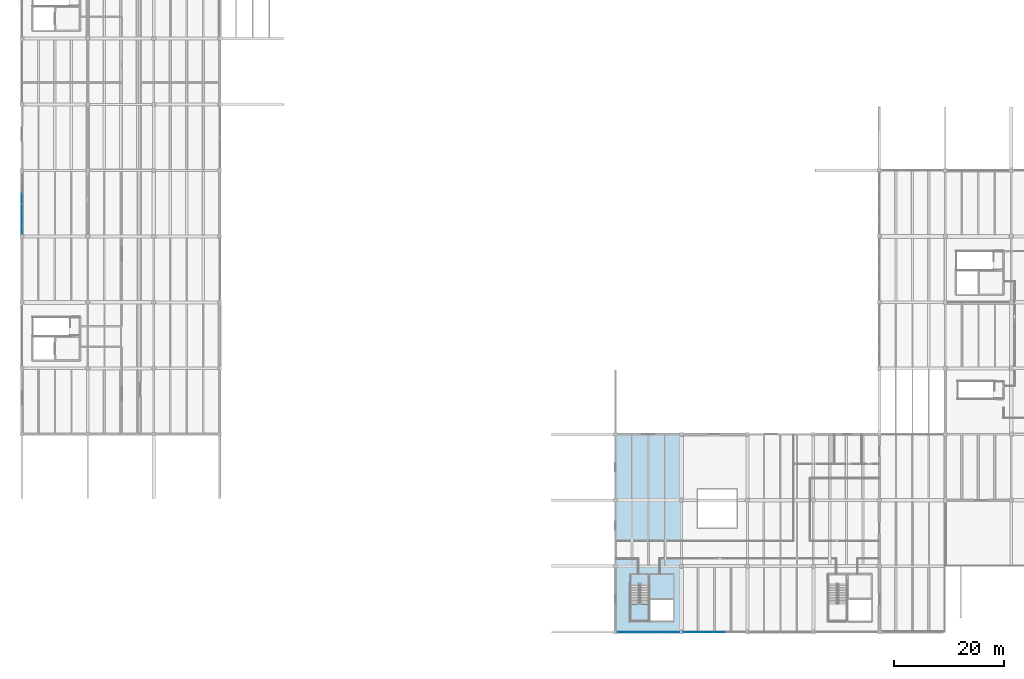
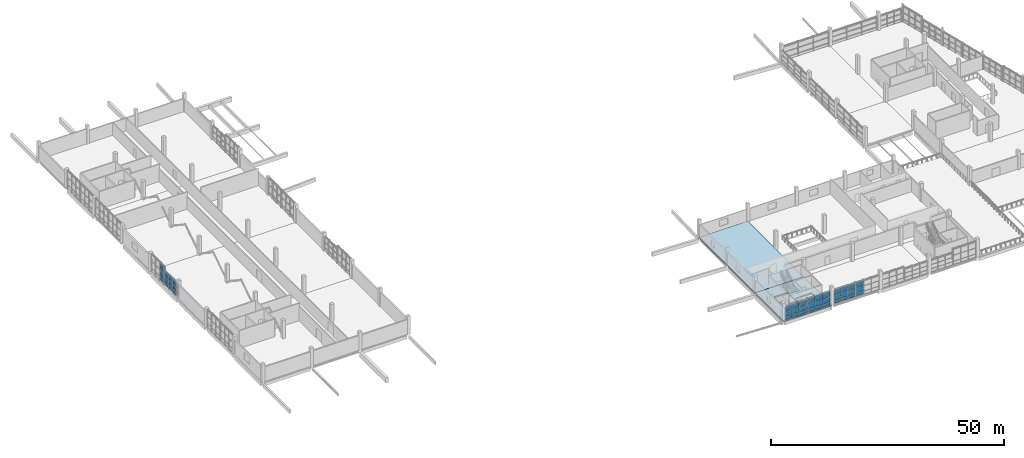
# One storey, part 27 of 49: 42 plates, 3 slabs, 7 elements without a shape of their own.
"""IFC4 building model written with IfcOpenShell, lengths in metres."""

import ifcopenshell
import ifcopenshell.guid

model = None  # the IFC model being written
_history = None  # IfcOwnerHistory: only IFC2X3 demands one
_inside = {}  # id of a spatial element -> (the spatial element, [elements in it])
_under = {}  # id of a project, library or spatial element -> (it, [spatial elements below it])
_declared = {}  # id of a project -> (the project, [libraries it declares])
_typed = {}  # id of a type object -> (the type object, [elements of that type])
_made_of = {}  # id of a material, layer set ... -> (it, [elements and type objects made of it])


def new_model(schema):
    """Start an empty IFC model of exactly this schema.

    Asked for "IFC4X3", IfcOpenShell would pick the latest addendum, in which some entities
    have other attributes; the version numbers below select the first issue.
    IFC2X3 requires an IfcOwnerHistory on every rooted entity: one is made here for all.
    """
    global model, _history
    if schema == "IFC4X3":
        model = ifcopenshell.file(schema_version=(4, 3, 0, 0))
    else:
        model = ifcopenshell.file(schema=schema)
    _inside.clear()
    _under.clear()
    _declared.clear()
    _typed.clear()
    _made_of.clear()
    _history = None
    if model.schema == "IFC2X3":
        org = make("IfcOrganization", Name="unknown")
        user = make(
            "IfcPersonAndOrganization",
            ThePerson=make("IfcPerson", FamilyName="unknown"),
            TheOrganization=org,
        )
        app = make(
            "IfcApplication",
            ApplicationDeveloper=org,
            Version="unknown",
            ApplicationFullName="unknown",
            ApplicationIdentifier="unknown",
        )
        _history = make(
            "IfcOwnerHistory",
            OwningUser=user,
            OwningApplication=app,
            ChangeAction="ADDED",
            CreationDate=0,
        )
    return model


def make(cls, **values):
    """One entity of the class cls with the attributes given. An attribute that is None is left unset."""
    return model.create_entity(
        cls, **{name: value for name, value in values.items() if value is not None}
    )


def rooted(cls, **values):
    """An entity with a GlobalId (a new one), such as an element, a storey or a relation."""
    return make(cls, GlobalId=ifcopenshell.guid.new(), OwnerHistory=_history, **values)


def si_unit(unit_type, name, prefix=None):
    """IfcSIUnit, for example si_unit("LENGTHUNIT", "METRE", prefix="MILLI")."""
    return make("IfcSIUnit", UnitType=unit_type, Prefix=prefix, Name=name)


def assignment(units):
    """IfcUnitAssignment: the units of a project."""
    return None if units is None else make("IfcUnitAssignment", Units=units)


def point(xyz):
    """IfcCartesianPoint."""
    return None if xyz is None else make("IfcCartesianPoint", Coordinates=xyz)


def direction(xyz):
    """IfcDirection."""
    return None if xyz is None else make("IfcDirection", DirectionRatios=xyz)


def frame(location, z_axis=None, x_axis=None):
    """IfcAxis2Placement3D, a coordinate frame: its origin and axes. An axis left out is left unset."""
    return make(
        "IfcAxis2Placement3D",
        Location=point(location),
        Axis=direction(z_axis),
        RefDirection=direction(x_axis),
    )


def frame_2d(location, x_axis=None):
    """IfcAxis2Placement2D, a coordinate frame in the plane: its origin and x axis."""
    return make(
        "IfcAxis2Placement2D", Location=point(location), RefDirection=direction(x_axis)
    )


def origin():
    """The frame at (0, 0, 0) with its axes left unset."""
    return frame((0.0, 0.0, 0.0))


def origin_2d():
    """The frame at (0, 0) in the plane with its x axis left unset."""
    return frame_2d((0.0, 0.0))


def place(relative_to, where):
    """IfcLocalPlacement: puts the frame where relative to a parent placement (None: the world)."""
    return make(
        "IfcLocalPlacement", PlacementRelTo=relative_to, RelativePlacement=where
    )


def context(
    kind, dimensions, precision=None, world=None, true_north=None, identifier=None
):
    """IfcGeometricRepresentationContext, for example the 3D "Model" context."""
    return make(
        "IfcGeometricRepresentationContext",
        ContextIdentifier=identifier,
        ContextType=kind,
        CoordinateSpaceDimension=dimensions,
        Precision=precision,
        WorldCoordinateSystem=world,
        TrueNorth=true_north,
    )


def subcontext(parent, identifier, kind, view, scale=None):
    """IfcGeometricRepresentationSubContext, for example "Body" below "Model"."""
    return make(
        "IfcGeometricRepresentationSubContext",
        ContextIdentifier=identifier,
        ContextType=kind,
        ParentContext=parent,
        TargetScale=scale,
        TargetView=view,
    )


def project(units=None, contexts=None):
    """IfcProject with its units and contexts."""
    return rooted(
        "IfcProject",
        Name="project",
        RepresentationContexts=contexts,
        UnitsInContext=assignment(units),
    )


def spatial(cls, under=None, at=None, **own):
    """A site, building, storey or space (cls), placed at a placement, below another one or the project."""
    s = rooted(cls, ObjectPlacement=at, **own)
    if under is not None:
        _under.setdefault(under.id(), (under, []))[1].append(s)
    return s


def polyline(points):
    """IfcPolyline through the points."""
    return make("IfcPolyline", Points=[point(p) for p in points])


def profile(cls, at=None, kind="AREA", **sizes):
    """A parametric profile (cls). Its sizes go by their IFC names, for example OverallWidth=200.0."""
    return make(cls, ProfileType=kind, Position=at, **sizes)


def rectangle(**sizes):
    """IfcRectangleProfileDef."""
    return profile("IfcRectangleProfileDef", **sizes)


def outline(outer, holes=None, kind="AREA"):
    """IfcArbitraryClosedProfileDef: a profile drawn as a closed curve; with holes, ...WithVoids."""
    if holes is None:
        return make("IfcArbitraryClosedProfileDef", ProfileType=kind, OuterCurve=outer)
    return make(
        "IfcArbitraryProfileDefWithVoids",
        ProfileType=kind,
        OuterCurve=outer,
        InnerCurves=holes,
    )


def extrude(swept, where, along, depth):
    """IfcExtrudedAreaSolid: the profile swept, set in the frame where, extruded along a direction by depth."""
    return make(
        "IfcExtrudedAreaSolid",
        SweptArea=swept,
        Position=where,
        ExtrudedDirection=direction(along),
        Depth=depth,
    )


def shape(context_of_items, identifier, shape_type, items):
    """IfcShapeRepresentation: the items that make up one representation, for example the "Body"."""
    return make(
        "IfcShapeRepresentation",
        ContextOfItems=context_of_items,
        RepresentationIdentifier=identifier,
        RepresentationType=shape_type,
        Items=items,
    )


def material(Name=None, Category=None):
    """IfcMaterial."""
    return make("IfcMaterial", Name=Name, Category=Category)


def layer(
    of_material, thickness, ventilated=None, Name=None, Category=None, Priority=None
):
    """IfcMaterialLayer: one layer of a wall or slab, of a material (None: an air gap)."""
    return make(
        "IfcMaterialLayer",
        Material=of_material,
        LayerThickness=thickness,
        IsVentilated=ventilated,
        Name=Name,
        Category=Category,
        Priority=Priority,
    )


def layer_set(layers, Name=None):
    """IfcMaterialLayerSet."""
    return make("IfcMaterialLayerSet", MaterialLayers=layers, LayerSetName=Name)


def made_of(thing, what):
    """Note that an element or type object is made of a material, layer set ...; save() writes the relation."""
    if what is not None:
        _made_of.setdefault(what.id(), (what, []))[1].append(thing)
    return thing


def type_object(cls, material=None, **own):
    """A type object (cls), such as IfcWallType, which elements share."""
    return made_of(rooted(cls, **own), material)


def element(
    cls,
    number,
    at=None,
    inside=None,
    cuts=None,
    type_object=None,
    material=None,
    context=None,
    identifier="Body",
    shape_type=None,
    held_by="IfcProductDefinitionShape",
    body=None,
    shapes=None,
    **own,
):
    """One element of the class cls, such as IfcWall. Its Tag is "e" and its number.

    at: its placement. inside: the storey or other place that contains it. cuts: it is an
    opening in that element (IfcRelVoidsElement). A single representation is given by context,
    identifier, shape_type and body (its items); several are given by shapes. held_by: the class
    of the entity that holds the representations. save() writes the other relations.
    """
    e = rooted(cls, Tag="e%d" % number, ObjectPlacement=at, **own)
    if body is not None:
        shapes = [shape(context, identifier, shape_type, body)]
    if shapes is not None:
        e.Representation = make(held_by, Representations=shapes)
    if inside is not None:
        _inside.setdefault(inside.id(), (inside, []))[1].append(e)
    if cuts is not None:
        rooted(
            "IfcRelVoidsElement", RelatingBuildingElement=cuts, RelatedOpeningElement=e
        )
    if type_object is not None:
        _typed.setdefault(type_object.id(), (type_object, []))[1].append(e)
    return made_of(e, material)


def aggregate(whole, parts):
    """IfcRelAggregates: a whole, such as a stair, and the parts it consists of."""
    return rooted("IfcRelAggregates", RelatingObject=whole, RelatedObjects=parts)


def save(model, path):
    """Write the relations noted so far, then the file.

    IfcRelAggregates (storeys below a building ...), IfcRelContainedInSpatialStructure (elements
    in a storey), IfcRelDefinesByType, IfcRelAssociatesMaterial and IfcRelDeclares: one each for
    every whole, place, type object, material and project.
    """
    for whole, parts in _under.values():
        aggregate(whole, parts)
    for where, things in _inside.values():
        rooted(
            "IfcRelContainedInSpatialStructure",
            RelatedElements=things,
            RelatingStructure=where,
        )
    for kind, things in _typed.values():
        rooted("IfcRelDefinesByType", RelatedObjects=things, RelatingType=kind)
    for what, things in _made_of.values():
        rooted("IfcRelAssociatesMaterial", RelatedObjects=things, RelatingMaterial=what)
    for by, libraries in _declared.values():
        rooted("IfcRelDeclares", RelatingContext=by, RelatedDefinitions=libraries)
    model.write(path)


model = new_model("IFC4")

# Units and contexts
model_context = context("Model", 3, precision=1e-05, world=origin(), true_north=direction((0.0, 1.0)))
body_context = subcontext(model_context, "Body", "Model", "MODEL_VIEW")
ifc_project = project(units=[si_unit("LENGTHUNIT", "METRE"), si_unit("AREAUNIT", "SQUARE_METRE"), si_unit("VOLUMEUNIT", "CUBIC_METRE"), si_unit("PLANEANGLEUNIT", "RADIAN"), si_unit("MASSUNIT", "GRAM", prefix="KILO")], contexts=[model_context])

# Site, building, storey
site_placement = place(None, origin())
site = spatial("IfcSite", under=ifc_project, at=site_placement, CompositionType="ELEMENT")
building_placement = place(site_placement, origin())
building = spatial("IfcBuilding", under=site, at=building_placement, Name="Kamomehara Wholesale Market", CompositionType="ELEMENT")
storey_placement = place(building_placement, frame((0.0, 0.0, 11.39990234375)))
storey = spatial("IfcBuildingStorey", under=building, at=storey_placement, Name="L02", CompositionType="ELEMENT", Elevation=11.39990234375)

# Curtain wall, plates
ifc_material_1 = material(Name="Anodised aluminium 6063-T5", Category="aluminium")
curtain_wall_type_1 = type_object("IfcCurtainWallType", Name="CW-UN-10", PredefinedType="NOTDEFINED", material=ifc_material_1)
curtain_wall_1_placement = place(storey_placement, origin())
curtain_wall_1 = element("IfcCurtainWall", 1, at=curtain_wall_1_placement, inside=storey, type_object=curtain_wall_type_1, Name="Unitised curtain wall CW-003", PredefinedType="NOTDEFINED")
ifc_material_2 = material(Name="Solar-control Low-E double glazing", Category="glass")
ifc_layer_1 = layer(ifc_material_2, 0.028076171875)
ifc_layer_set_1 = layer_set([ifc_layer_1], Name="Solar-control Low-E double glazing")
plate_type_1 = type_object("IfcPlateType", Name="CW-PNL-GLZ", PredefinedType="CURTAIN_PANEL", material=ifc_layer_set_1)
plate_1_placement = place(storey_placement, frame((-0.02001953125, 85.300048828125, 0.97998046875), z_axis=(0.0, 0.0, 1.0), x_axis=(0.0, 1.0, 0.0)))
plate_1 = element("IfcPlate", 2, at=plate_1_placement, type_object=plate_type_1, Name="Curtain panel CW-003.0.1", PredefinedType="CURTAIN_PANEL", context=body_context, shape_type="SweptSolid", body=[
    extrude(rectangle(XDim=1.719970703125, YDim=0.028076171875, at=origin_2d()), origin(), (0.0, 0.0, 1.0), 1.280029296875),
])
plate_2_placement = place(storey_placement, frame((-0.02001953125, 85.300048828125, 2.3203125), z_axis=(0.0, 0.0, 1.0), x_axis=(0.0, 1.0, 0.0)))
plate_2 = element("IfcPlate", 3, at=plate_2_placement, type_object=plate_type_1, Name="Curtain panel CW-003.0.2", PredefinedType="CURTAIN_PANEL", context=body_context, shape_type="SweptSolid", body=[
    extrude(rectangle(XDim=1.719970703125, YDim=0.028076171875, at=origin_2d()), origin(), (0.0, 0.0, 1.0), 1.239990234375),
])
plate_3_placement = place(storey_placement, frame((-0.02001953125, 87.10009765625, 0.97998046875), z_axis=(0.0, 0.0, 1.0), x_axis=(0.0, 1.0, 0.0)))
plate_3 = element("IfcPlate", 4, at=plate_3_placement, type_object=plate_type_1, Name="Curtain panel CW-003.1.1", PredefinedType="CURTAIN_PANEL", context=body_context, shape_type="SweptSolid", body=[
    extrude(rectangle(XDim=1.719970703125, YDim=0.028076171875, at=origin_2d()), origin(), (0.0, 0.0, 1.0), 1.280029296875),
])
plate_4_placement = place(storey_placement, frame((-0.02001953125, 87.10009765625, 2.3203125), z_axis=(0.0, 0.0, 1.0), x_axis=(0.0, 1.0, 0.0)))
plate_4 = element("IfcPlate", 5, at=plate_4_placement, type_object=plate_type_1, Name="Curtain panel CW-003.1.2", PredefinedType="CURTAIN_PANEL", context=body_context, shape_type="SweptSolid", body=[
    extrude(rectangle(XDim=1.719970703125, YDim=0.028076171875, at=origin_2d()), origin(), (0.0, 0.0, 1.0), 1.239990234375),
])
plate_5_placement = place(storey_placement, frame((-0.02001953125, 88.89990234375, 0.97998046875), z_axis=(0.0, 0.0, 1.0), x_axis=(0.0, 1.0, 0.0)))
plate_5 = element("IfcPlate", 6, at=plate_5_placement, type_object=plate_type_1, Name="Curtain panel CW-003.2.1", PredefinedType="CURTAIN_PANEL", context=body_context, shape_type="SweptSolid", body=[
    extrude(rectangle(XDim=1.719970703125, YDim=0.028076171875, at=origin_2d()), origin(), (0.0, 0.0, 1.0), 1.280029296875),
])
plate_6_placement = place(storey_placement, frame((-0.02001953125, 88.89990234375, 2.3203125), z_axis=(0.0, 0.0, 1.0), x_axis=(0.0, 1.0, 0.0)))
plate_6 = element("IfcPlate", 7, at=plate_6_placement, type_object=plate_type_1, Name="Curtain panel CW-003.2.2", PredefinedType="CURTAIN_PANEL", context=body_context, shape_type="SweptSolid", body=[
    extrude(rectangle(XDim=1.719970703125, YDim=0.028076171875, at=origin_2d()), origin(), (0.0, 0.0, 1.0), 1.239990234375),
])

curtain_wall_2_placement = place(storey_placement, origin())
curtain_wall_2 = element("IfcCurtainWall", 8, at=curtain_wall_2_placement, inside=storey, type_object=curtain_wall_type_1, Name="Unitised curtain wall CW-004", PredefinedType="NOTDEFINED")
plate_7_placement = place(storey_placement, frame((-0.02001953125, 90.89990234375, 0.9794921875), z_axis=(0.0, 0.0, 1.0), x_axis=(0.0, 1.0, 0.0)))
plate_7 = element("IfcPlate", 9, at=plate_7_placement, type_object=plate_type_1, Name="Curtain panel CW-004.0.1", PredefinedType="CURTAIN_PANEL", context=body_context, shape_type="SweptSolid", body=[
    extrude(rectangle(XDim=1.719970703125, YDim=0.028076171875, at=origin_2d()), origin(), (0.0, 0.0, 1.0), 1.764892578125),
])
plate_8_placement = place(storey_placement, frame((-0.02001953125, 90.89990234375, 2.8056640625), z_axis=(0.0, 0.0, 1.0), x_axis=(0.0, 1.0, 0.0)))
plate_8 = element("IfcPlate", 10, at=plate_8_placement, type_object=plate_type_1, Name="Curtain panel CW-004.0.2", PredefinedType="CURTAIN_PANEL", context=body_context, shape_type="SweptSolid", body=[
    extrude(rectangle(XDim=1.719970703125, YDim=0.028076171875, at=origin_2d()), origin(), (0.0, 0.0, 1.0), 1.72509765625),
])

ifc_material_3 = material(Name="Anodised aluminium 6063-T5", Category="aluminium")
curtain_wall_type_2 = type_object("IfcCurtainWallType", Name="CW-UN-01", PredefinedType="NOTDEFINED", material=ifc_material_3)
curtain_wall_3_placement = place(storey_placement, origin())
curtain_wall_3 = element("IfcCurtainWall", 11, at=curtain_wall_3_placement, inside=storey, type_object=curtain_wall_type_2, Name="Unitised curtain wall CW-143", PredefinedType="NOTDEFINED")
plate_9_placement = place(storey_placement, frame((118.6669921875, 11.97998046875, 0.87939453125), z_axis=(0.0, 0.0, 1.0), x_axis=(-1.0, 0.0, 0.0)))
plate_9 = element("IfcPlate", 12, at=plate_9_placement, type_object=plate_type_1, Name="Curtain panel CW-143.0.1", PredefinedType="CURTAIN_PANEL", context=body_context, shape_type="SweptSolid", body=[
    extrude(rectangle(XDim=1.787109375, YDim=0.028076171875, at=origin_2d()), origin(), (0.0, 0.0, 1.0), 1.319091796875),
])
plate_10_placement = place(storey_placement, frame((118.6669921875, 11.97998046875, 2.259765625), z_axis=(0.0, 0.0, 1.0), x_axis=(-1.0, 0.0, 0.0)))
plate_10 = element("IfcPlate", 13, at=plate_10_placement, type_object=plate_type_1, Name="Curtain panel CW-143.0.2", PredefinedType="CURTAIN_PANEL", context=body_context, shape_type="SweptSolid", body=[
    extrude(rectangle(XDim=1.787109375, YDim=0.028076171875, at=origin_2d()), origin(), (0.0, 0.0, 1.0), 1.279052734375),
])
plate_11_placement = place(storey_placement, frame((116.800048828125, 11.97998046875, 0.87939453125), z_axis=(0.0, 0.0, 1.0), x_axis=(-1.0, 0.0, 0.0)))
plate_11 = element("IfcPlate", 14, at=plate_11_placement, type_object=plate_type_1, Name="Curtain panel CW-143.1.1", PredefinedType="CURTAIN_PANEL", context=body_context, shape_type="SweptSolid", body=[
    extrude(rectangle(XDim=1.787109375, YDim=0.028076171875, at=origin_2d()), origin(), (0.0, 0.0, 1.0), 1.319091796875),
])
plate_12_placement = place(storey_placement, frame((116.800048828125, 11.97998046875, 2.259765625), z_axis=(0.0, 0.0, 1.0), x_axis=(-1.0, 0.0, 0.0)))
plate_12 = element("IfcPlate", 15, at=plate_12_placement, type_object=plate_type_1, Name="Curtain panel CW-143.1.2", PredefinedType="CURTAIN_PANEL", context=body_context, shape_type="SweptSolid", body=[
    extrude(rectangle(XDim=1.787109375, YDim=0.028076171875, at=origin_2d()), origin(), (0.0, 0.0, 1.0), 1.279052734375),
])
plate_13_placement = place(storey_placement, frame((114.93310546875, 11.97998046875, 0.87939453125), z_axis=(0.0, 0.0, 1.0), x_axis=(-1.0, 0.0, 0.0)))
plate_13 = element("IfcPlate", 16, at=plate_13_placement, type_object=plate_type_1, Name="Curtain panel CW-143.2.1", PredefinedType="CURTAIN_PANEL", context=body_context, shape_type="SweptSolid", body=[
    extrude(rectangle(XDim=1.787109375, YDim=0.028076171875, at=origin_2d()), origin(), (0.0, 0.0, 1.0), 1.319091796875),
])
plate_14_placement = place(storey_placement, frame((114.93310546875, 11.97998046875, 2.259765625), z_axis=(0.0, 0.0, 1.0), x_axis=(-1.0, 0.0, 0.0)))
plate_14 = element("IfcPlate", 17, at=plate_14_placement, type_object=plate_type_1, Name="Curtain panel CW-143.2.2", PredefinedType="CURTAIN_PANEL", context=body_context, shape_type="SweptSolid", body=[
    extrude(rectangle(XDim=1.787109375, YDim=0.028076171875, at=origin_2d()), origin(), (0.0, 0.0, 1.0), 1.279052734375),
])

curtain_wall_4_placement = place(storey_placement, origin())
curtain_wall_4 = element("IfcCurtainWall", 18, at=curtain_wall_4_placement, inside=storey, type_object=curtain_wall_type_2, Name="Unitised curtain wall CW-144", PredefinedType="NOTDEFINED")
plate_15_placement = place(storey_placement, frame((112.89306640625, 11.97998046875, 0.88037109375), z_axis=(0.0, 0.0, 1.0), x_axis=(-1.0, 0.0, 0.0)))
plate_15 = element("IfcPlate", 19, at=plate_15_placement, type_object=plate_type_1, Name="Curtain panel CW-144.0.1", PredefinedType="CURTAIN_PANEL", context=body_context, shape_type="SweptSolid", body=[
    extrude(rectangle(XDim=1.73291015625, YDim=0.028076171875, at=origin_2d()), origin(), (0.0, 0.0, 1.0), 1.243896484375),
])
plate_16_placement = place(storey_placement, frame((112.89306640625, 11.97998046875, 2.18408203125), z_axis=(0.0, 0.0, 1.0), x_axis=(-1.0, 0.0, 0.0)))
plate_16 = element("IfcPlate", 20, at=plate_16_placement, type_object=plate_type_1, Name="Curtain panel CW-144.0.2", PredefinedType="CURTAIN_PANEL", context=body_context, shape_type="SweptSolid", body=[
    extrude(rectangle(XDim=1.73291015625, YDim=0.028076171875, at=origin_2d()), origin(), (0.0, 0.0, 1.0), 1.2041015625),
])
plate_17_placement = place(storey_placement, frame((111.080078125, 11.97998046875, 0.88037109375), z_axis=(0.0, 0.0, 1.0), x_axis=(-1.0, 0.0, 0.0)))
plate_17 = element("IfcPlate", 21, at=plate_17_placement, type_object=plate_type_1, Name="Curtain panel CW-144.1.1", PredefinedType="CURTAIN_PANEL", context=body_context, shape_type="SweptSolid", body=[
    extrude(rectangle(XDim=1.73291015625, YDim=0.028076171875, at=origin_2d()), origin(), (0.0, 0.0, 1.0), 1.243896484375),
])
plate_18_placement = place(storey_placement, frame((111.080078125, 11.97998046875, 2.18408203125), z_axis=(0.0, 0.0, 1.0), x_axis=(-1.0, 0.0, 0.0)))
plate_18 = element("IfcPlate", 22, at=plate_18_placement, type_object=plate_type_1, Name="Curtain panel CW-144.1.2", PredefinedType="CURTAIN_PANEL", context=body_context, shape_type="SweptSolid", body=[
    extrude(rectangle(XDim=1.73291015625, YDim=0.028076171875, at=origin_2d()), origin(), (0.0, 0.0, 1.0), 1.2041015625),
])
plate_19_placement = place(storey_placement, frame((109.26708984375, 11.97998046875, 0.88037109375), z_axis=(0.0, 0.0, 1.0), x_axis=(-1.0, 0.0, 0.0)))
plate_19 = element("IfcPlate", 23, at=plate_19_placement, type_object=plate_type_1, Name="Curtain panel CW-144.2.1", PredefinedType="CURTAIN_PANEL", context=body_context, shape_type="SweptSolid", body=[
    extrude(rectangle(XDim=1.73291015625, YDim=0.028076171875, at=origin_2d()), origin(), (0.0, 0.0, 1.0), 1.243896484375),
])
plate_20_placement = place(storey_placement, frame((109.26708984375, 11.97998046875, 2.18408203125), z_axis=(0.0, 0.0, 1.0), x_axis=(-1.0, 0.0, 0.0)))
plate_20 = element("IfcPlate", 24, at=plate_20_placement, type_object=plate_type_1, Name="Curtain panel CW-144.2.2", PredefinedType="CURTAIN_PANEL", context=body_context, shape_type="SweptSolid", body=[
    extrude(rectangle(XDim=1.73291015625, YDim=0.028076171875, at=origin_2d()), origin(), (0.0, 0.0, 1.0), 1.2041015625),
])

curtain_wall_5_placement = place(storey_placement, origin())
curtain_wall_5 = element("IfcCurtainWall", 25, at=curtain_wall_5_placement, inside=storey, type_object=curtain_wall_type_2, Name="Unitised curtain wall CW-145", PredefinedType="NOTDEFINED")
plate_21_placement = place(storey_placement, frame((126.93310546875, 11.97998046875, 0.880126953125), z_axis=(0.0, 0.0, 1.0), x_axis=(-1.0, 0.0, 0.0)))
plate_21 = element("IfcPlate", 26, at=plate_21_placement, type_object=plate_type_1, Name="Curtain panel CW-145.2.1", PredefinedType="CURTAIN_PANEL", context=body_context, shape_type="SweptSolid", body=[
    extrude(rectangle(XDim=1.787109375, YDim=0.028076171875, at=origin_2d()), origin(), (0.0, 0.0, 1.0), 1.31396484375),
])
plate_22_placement = place(storey_placement, frame((126.93310546875, 11.97998046875, 2.254150390625), z_axis=(0.0, 0.0, 1.0), x_axis=(-1.0, 0.0, 0.0)))
plate_22 = element("IfcPlate", 27, at=plate_22_placement, type_object=plate_type_1, Name="Curtain panel CW-145.2.2", PredefinedType="CURTAIN_PANEL", context=body_context, shape_type="SweptSolid", body=[
    extrude(rectangle(XDim=1.787109375, YDim=0.028076171875, at=origin_2d()), origin(), (0.0, 0.0, 1.0), 1.27392578125),
])

curtain_wall_6_placement = place(storey_placement, origin())
curtain_wall_6 = element("IfcCurtainWall", 28, at=curtain_wall_6_placement, inside=storey, type_object=curtain_wall_type_2, Name="Unitised curtain wall CW-146", PredefinedType="NOTDEFINED")
plate_23_placement = place(storey_placement, frame((124.89306640625, 11.97998046875, 0.880126953125), z_axis=(0.0, 0.0, 1.0), x_axis=(-1.0, 0.0, 0.0)))
plate_23 = element("IfcPlate", 29, at=plate_23_placement, type_object=plate_type_1, Name="Curtain panel CW-146.0.1", PredefinedType="CURTAIN_PANEL", context=body_context, shape_type="SweptSolid", body=[
    extrude(rectangle(XDim=1.73291015625, YDim=0.028076171875, at=origin_2d()), origin(), (0.0, 0.0, 1.0), 1.31396484375),
])
plate_24_placement = place(storey_placement, frame((124.89306640625, 11.97998046875, 2.254150390625), z_axis=(0.0, 0.0, 1.0), x_axis=(-1.0, 0.0, 0.0)))
plate_24 = element("IfcPlate", 30, at=plate_24_placement, type_object=plate_type_1, Name="Curtain panel CW-146.0.2", PredefinedType="CURTAIN_PANEL", context=body_context, shape_type="SweptSolid", body=[
    extrude(rectangle(XDim=1.73291015625, YDim=0.028076171875, at=origin_2d()), origin(), (0.0, 0.0, 1.0), 1.27392578125),
])
plate_25_placement = place(storey_placement, frame((123.080078125, 11.97998046875, 0.880126953125), z_axis=(0.0, 0.0, 1.0), x_axis=(-1.0, 0.0, 0.0)))
plate_25 = element("IfcPlate", 31, at=plate_25_placement, type_object=plate_type_1, Name="Curtain panel CW-146.1.1", PredefinedType="CURTAIN_PANEL", context=body_context, shape_type="SweptSolid", body=[
    extrude(rectangle(XDim=1.73291015625, YDim=0.028076171875, at=origin_2d()), origin(), (0.0, 0.0, 1.0), 1.31396484375),
])
plate_26_placement = place(storey_placement, frame((123.080078125, 11.97998046875, 2.254150390625), z_axis=(0.0, 0.0, 1.0), x_axis=(-1.0, 0.0, 0.0)))
plate_26 = element("IfcPlate", 32, at=plate_26_placement, type_object=plate_type_1, Name="Curtain panel CW-146.1.2", PredefinedType="CURTAIN_PANEL", context=body_context, shape_type="SweptSolid", body=[
    extrude(rectangle(XDim=1.73291015625, YDim=0.028076171875, at=origin_2d()), origin(), (0.0, 0.0, 1.0), 1.27392578125),
])
plate_27_placement = place(storey_placement, frame((121.26708984375, 11.97998046875, 0.880126953125), z_axis=(0.0, 0.0, 1.0), x_axis=(-1.0, 0.0, 0.0)))
plate_27 = element("IfcPlate", 33, at=plate_27_placement, type_object=plate_type_1, Name="Curtain panel CW-146.2.1", PredefinedType="CURTAIN_PANEL", context=body_context, shape_type="SweptSolid", body=[
    extrude(rectangle(XDim=1.73291015625, YDim=0.028076171875, at=origin_2d()), origin(), (0.0, 0.0, 1.0), 1.31396484375),
])
plate_28_placement = place(storey_placement, frame((121.26708984375, 11.97998046875, 2.254150390625), z_axis=(0.0, 0.0, 1.0), x_axis=(-1.0, 0.0, 0.0)))
plate_28 = element("IfcPlate", 34, at=plate_28_placement, type_object=plate_type_1, Name="Curtain panel CW-146.2.2", PredefinedType="CURTAIN_PANEL", context=body_context, shape_type="SweptSolid", body=[
    extrude(rectangle(XDim=1.73291015625, YDim=0.028076171875, at=origin_2d()), origin(), (0.0, 0.0, 1.0), 1.27392578125),
])

# Plate
ifc_material_4 = material(Name="Insulated aluminium spandrel panel", Category="aluminium")
ifc_layer_2 = layer(ifc_material_4, 0.0400390625)
ifc_layer_set_2 = layer_set([ifc_layer_2], Name="Insulated aluminium spandrel panel")
plate_type_2 = type_object("IfcPlateType", Name="CW-PNL-SPN", PredefinedType="CURTAIN_PANEL", material=ifc_layer_set_2)
plate_29_placement = place(storey_placement, frame((-0.02001953125, 85.300048828125, 0.070068359375), z_axis=(0.0, 0.0, 1.0), x_axis=(0.0, 1.0, 0.0)))
plate_29 = element("IfcPlate", 35, at=plate_29_placement, type_object=plate_type_2, Name="Curtain panel CW-003.0.0", PredefinedType="CURTAIN_PANEL", context=body_context, shape_type="SweptSolid", body=[
    extrude(rectangle(XDim=1.719970703125, YDim=0.0400390625, at=origin_2d()), origin(), (0.0, 0.0, 1.0), 0.85009765625),
])

plate_30_placement = place(storey_placement, frame((-0.02001953125, 87.10009765625, 0.070068359375), z_axis=(0.0, 0.0, 1.0), x_axis=(0.0, 1.0, 0.0)))
plate_30 = element("IfcPlate", 36, at=plate_30_placement, type_object=plate_type_2, Name="Curtain panel CW-003.1.0", PredefinedType="CURTAIN_PANEL", context=body_context, shape_type="SweptSolid", body=[
    extrude(rectangle(XDim=1.719970703125, YDim=0.0400390625, at=origin_2d()), origin(), (0.0, 0.0, 1.0), 0.85009765625),
])

plate_31_placement = place(storey_placement, frame((-0.02001953125, 88.89990234375, 0.070068359375), z_axis=(0.0, 0.0, 1.0), x_axis=(0.0, 1.0, 0.0)))
plate_31 = element("IfcPlate", 37, at=plate_31_placement, type_object=plate_type_2, Name="Curtain panel CW-003.2.0", PredefinedType="CURTAIN_PANEL", context=body_context, shape_type="SweptSolid", body=[
    extrude(rectangle(XDim=1.719970703125, YDim=0.0400390625, at=origin_2d()), origin(), (0.0, 0.0, 1.0), 0.85009765625),
])

aggregate(curtain_wall_1, [plate_29, plate_1, plate_2, plate_30, plate_3, plate_4, plate_31, plate_5, plate_6])

plate_32_placement = place(storey_placement, frame((-0.02001953125, 90.89990234375, 0.070068359375), z_axis=(0.0, 0.0, 1.0), x_axis=(0.0, 1.0, 0.0)))
plate_32 = element("IfcPlate", 38, at=plate_32_placement, type_object=plate_type_2, Name="Curtain panel CW-004.0.0", PredefinedType="CURTAIN_PANEL", context=body_context, shape_type="SweptSolid", body=[
    extrude(rectangle(XDim=1.719970703125, YDim=0.0400390625, at=origin_2d()), origin(), (0.0, 0.0, 1.0), 0.85009765625),
])

aggregate(curtain_wall_2, [plate_32, plate_7, plate_8])

plate_33_placement = place(storey_placement, frame((118.6669921875, 11.97998046875, 0.070068359375), z_axis=(0.0, 0.0, 1.0), x_axis=(-1.0, 0.0, 0.0)))
plate_33 = element("IfcPlate", 39, at=plate_33_placement, type_object=plate_type_2, Name="Curtain panel CW-143.0.0", PredefinedType="CURTAIN_PANEL", context=body_context, shape_type="SweptSolid", body=[
    extrude(rectangle(XDim=1.787109375, YDim=0.0400390625, at=origin_2d()), origin(), (0.0, 0.0, 1.0), 0.75),
])

plate_34_placement = place(storey_placement, frame((116.800048828125, 11.97998046875, 0.070068359375), z_axis=(0.0, 0.0, 1.0), x_axis=(-1.0, 0.0, 0.0)))
plate_34 = element("IfcPlate", 40, at=plate_34_placement, type_object=plate_type_2, Name="Curtain panel CW-143.1.0", PredefinedType="CURTAIN_PANEL", context=body_context, shape_type="SweptSolid", body=[
    extrude(rectangle(XDim=1.787109375, YDim=0.0400390625, at=origin_2d()), origin(), (0.0, 0.0, 1.0), 0.75),
])

plate_35_placement = place(storey_placement, frame((114.93310546875, 11.97998046875, 0.070068359375), z_axis=(0.0, 0.0, 1.0), x_axis=(-1.0, 0.0, 0.0)))
plate_35 = element("IfcPlate", 41, at=plate_35_placement, type_object=plate_type_2, Name="Curtain panel CW-143.2.0", PredefinedType="CURTAIN_PANEL", context=body_context, shape_type="SweptSolid", body=[
    extrude(rectangle(XDim=1.787109375, YDim=0.0400390625, at=origin_2d()), origin(), (0.0, 0.0, 1.0), 0.75),
])

aggregate(curtain_wall_3, [plate_33, plate_9, plate_10, plate_34, plate_11, plate_12, plate_35, plate_13, plate_14])

plate_36_placement = place(storey_placement, frame((112.89306640625, 11.97998046875, 0.070068359375), z_axis=(0.0, 0.0, 1.0), x_axis=(-1.0, 0.0, 0.0)))
plate_36 = element("IfcPlate", 42, at=plate_36_placement, type_object=plate_type_2, Name="Curtain panel CW-144.0.0", PredefinedType="CURTAIN_PANEL", context=body_context, shape_type="SweptSolid", body=[
    extrude(rectangle(XDim=1.73291015625, YDim=0.0400390625, at=origin_2d()), origin(), (0.0, 0.0, 1.0), 0.75),
])

plate_37_placement = place(storey_placement, frame((111.080078125, 11.97998046875, 0.070068359375), z_axis=(0.0, 0.0, 1.0), x_axis=(-1.0, 0.0, 0.0)))
plate_37 = element("IfcPlate", 43, at=plate_37_placement, type_object=plate_type_2, Name="Curtain panel CW-144.1.0", PredefinedType="CURTAIN_PANEL", context=body_context, shape_type="SweptSolid", body=[
    extrude(rectangle(XDim=1.73291015625, YDim=0.0400390625, at=origin_2d()), origin(), (0.0, 0.0, 1.0), 0.75),
])

plate_38_placement = place(storey_placement, frame((109.26708984375, 11.97998046875, 0.070068359375), z_axis=(0.0, 0.0, 1.0), x_axis=(-1.0, 0.0, 0.0)))
plate_38 = element("IfcPlate", 44, at=plate_38_placement, type_object=plate_type_2, Name="Curtain panel CW-144.2.0", PredefinedType="CURTAIN_PANEL", context=body_context, shape_type="SweptSolid", body=[
    extrude(rectangle(XDim=1.73291015625, YDim=0.0400390625, at=origin_2d()), origin(), (0.0, 0.0, 1.0), 0.75),
])

aggregate(curtain_wall_4, [plate_36, plate_15, plate_16, plate_37, plate_17, plate_18, plate_38, plate_19, plate_20])

plate_39_placement = place(storey_placement, frame((126.93310546875, 11.97998046875, 0.070068359375), z_axis=(0.0, 0.0, 1.0), x_axis=(-1.0, 0.0, 0.0)))
plate_39 = element("IfcPlate", 45, at=plate_39_placement, type_object=plate_type_2, Name="Curtain panel CW-145.2.0", PredefinedType="CURTAIN_PANEL", context=body_context, shape_type="SweptSolid", body=[
    extrude(rectangle(XDim=1.787109375, YDim=0.0400390625, at=origin_2d()), origin(), (0.0, 0.0, 1.0), 0.75),
])

aggregate(curtain_wall_5, [plate_39, plate_21, plate_22])

plate_40_placement = place(storey_placement, frame((124.89306640625, 11.97998046875, 0.070068359375), z_axis=(0.0, 0.0, 1.0), x_axis=(-1.0, 0.0, 0.0)))
plate_40 = element("IfcPlate", 46, at=plate_40_placement, type_object=plate_type_2, Name="Curtain panel CW-146.0.0", PredefinedType="CURTAIN_PANEL", context=body_context, shape_type="SweptSolid", body=[
    extrude(rectangle(XDim=1.73291015625, YDim=0.0400390625, at=origin_2d()), origin(), (0.0, 0.0, 1.0), 0.75),
])

plate_41_placement = place(storey_placement, frame((123.080078125, 11.97998046875, 0.070068359375), z_axis=(0.0, 0.0, 1.0), x_axis=(-1.0, 0.0, 0.0)))
plate_41 = element("IfcPlate", 47, at=plate_41_placement, type_object=plate_type_2, Name="Curtain panel CW-146.1.0", PredefinedType="CURTAIN_PANEL", context=body_context, shape_type="SweptSolid", body=[
    extrude(rectangle(XDim=1.73291015625, YDim=0.0400390625, at=origin_2d()), origin(), (0.0, 0.0, 1.0), 0.75),
])

plate_42_placement = place(storey_placement, frame((121.26708984375, 11.97998046875, 0.070068359375), z_axis=(0.0, 0.0, 1.0), x_axis=(-1.0, 0.0, 0.0)))
plate_42 = element("IfcPlate", 48, at=plate_42_placement, type_object=plate_type_2, Name="Curtain panel CW-146.2.0", PredefinedType="CURTAIN_PANEL", context=body_context, shape_type="SweptSolid", body=[
    extrude(rectangle(XDim=1.73291015625, YDim=0.0400390625, at=origin_2d()), origin(), (0.0, 0.0, 1.0), 0.75),
])

aggregate(curtain_wall_6, [plate_40, plate_23, plate_24, plate_41, plate_25, plate_26, plate_42, plate_27, plate_28])

# Slabs
ifc_material_5 = material(Name="Concrete Fc36 (C35/45)", Category="concrete")
ifc_layer_3 = layer(ifc_material_5, 0.320068359375)
ifc_layer_set_3 = layer_set([ifc_layer_3], Name="Concrete Fc36 (C35/45)")
slab_type_1 = type_object("IfcSlabType", Name="SLB-FLR-240", PredefinedType="FLOOR", material=ifc_layer_set_3)
slab_1_placement = place(storey_placement, frame((0.0, 0.0, -0.31982421875)))
element("IfcSlab", 49, at=slab_1_placement, inside=storey, type_object=slab_type_1, Name="Floor slab V5 L02 119", PredefinedType="FLOOR", context=body_context, shape_type="SweptSolid", body=[
    extrude(outline(polyline([(120.0, 24.0), (108.0, 24.0), (108.0, 48.0), (120.0, 48.0), (120.0, 24.0)])), origin(), (0.0, 0.0, 1.0), 0.31982421875),
])
ifc_material_6 = material(Name="Concrete Fc36 (C35/45)", Category="concrete")
ifc_layer_4 = layer(ifc_material_6, 0.35009765625)
ifc_layer_set_4 = layer_set([ifc_layer_4], Name="Concrete Fc36 (C35/45)")
slab_type_2 = type_object("IfcSlabType", Name="SLB-FLR-300", PredefinedType="FLOOR", material=ifc_layer_set_4)
slab_2_placement = place(storey_placement, frame((0.0, 0.0, -0.349853515625)))
element("IfcSlab", 50, at=slab_2_placement, inside=storey, type_object=slab_type_2, Name="Floor slab V5 L02 118", PredefinedType="FLOOR", context=body_context, shape_type="SweptSolid", body=[
    extrude(outline(polyline([(120.0, 24.0), (120.0, 12.0), (108.0, 12.0), (108.0, 24.0), (120.0, 24.0)]), holes=[polyline([(114.10009765625, 14.050048828125), (114.10009765625, 20.6298828125), (110.699951171875, 20.6298828125), (110.699951171875, 14.050048828125), (114.10009765625, 14.050048828125)]), polyline([(118.47998046875, 14.050048828125), (118.47998046875, 17.929931640625), (114.340087890625, 17.929931640625), (114.340087890625, 14.050048828125), (118.47998046875, 14.050048828125)])]), origin(), (0.0, 0.0, 1.0), 0.349853515625),
])

# Stair, slab
ifc_material_7 = material(Name="Concrete Fc36 (C35/45)", Category="concrete")
stair_type = type_object("IfcStairType", Name="STR-DL-02", PredefinedType="HALF_TURN_STAIR", material=ifc_material_7)
stair_placement = place(storey_placement, origin())
stair = element("IfcStair", 51, at=stair_placement, inside=storey, type_object=stair_type, Name="L02 Core exit stair ST-07", PredefinedType="HALF_TURN_STAIR")
ifc_material_8 = material(Name="Concrete Fc36 (C35/45)", Category="concrete")
ifc_layer_5 = layer(ifc_material_8, 0.199951171875)
ifc_layer_set_5 = layer_set([ifc_layer_5], Name="Concrete Fc36 (C35/45)")
slab_type_3 = type_object("IfcSlabType", Name="SLB-LND-200", PredefinedType="LANDING", material=ifc_layer_set_5)
slab_3_placement = place(storey_placement, frame((0.0, 0.0, 2.2001953125)))
slab_3 = element("IfcSlab", 52, at=slab_3_placement, type_object=slab_type_3, Name="ST-07 landing 1", PredefinedType="LANDING", context=body_context, shape_type="SweptSolid", body=[
    extrude(outline(polyline([(110.699951171875, 17.14990234375), (110.699951171875, 14.050048828125), (114.10009765625, 14.050048828125), (114.10009765625, 17.14990234375), (110.699951171875, 17.14990234375)])), origin(), (0.0, 0.0, 1.0), 0.199951171875),
])
aggregate(stair, [slab_3])

save(model, "model.ifc")
